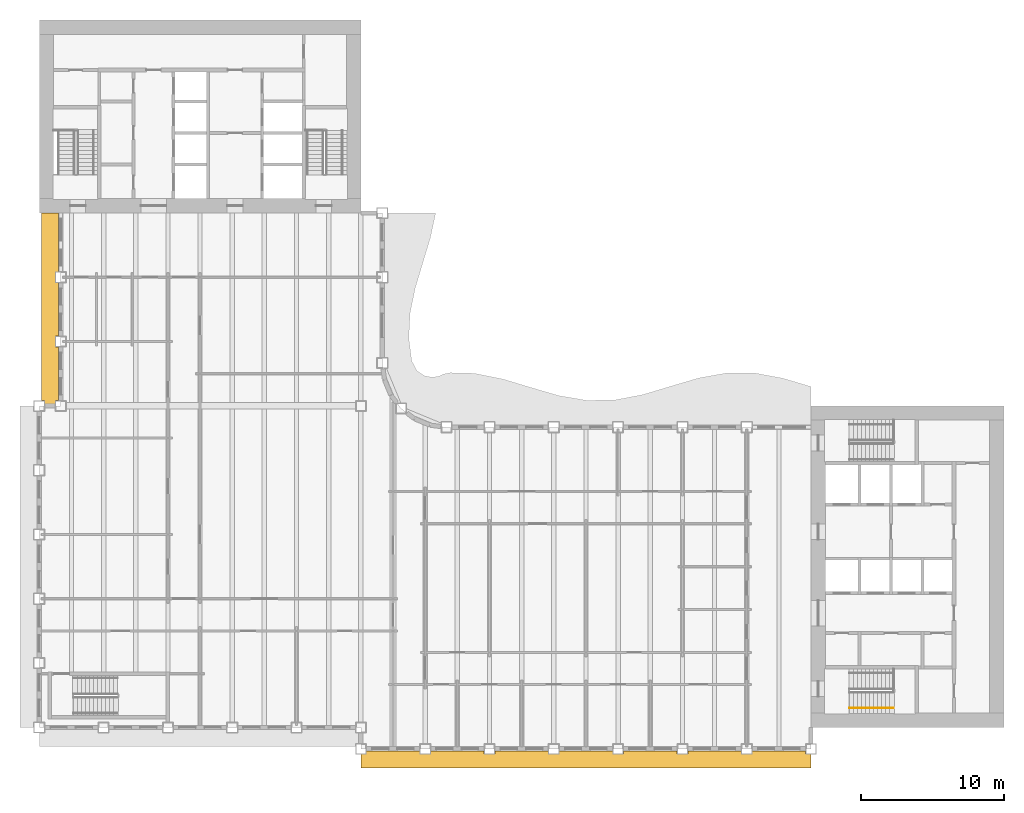
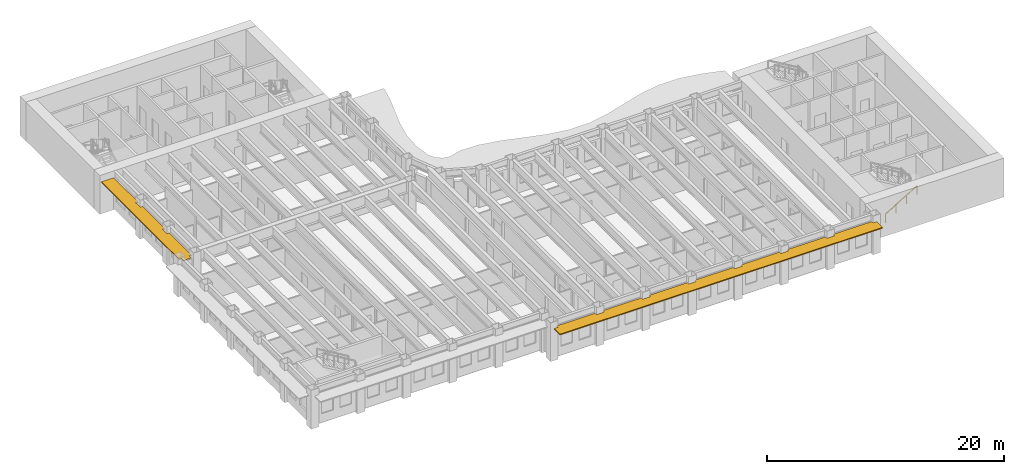
# One storey, part 13 of 17: 2 shading devices, 1 railing.
"""IFC4 building model written with IfcOpenShell, lengths in metres."""

from ifc_helpers import new_model, si_unit, direction, frame, origin, origin_2d, place, context, subcontext, project, spatial, polyline, rectangle, outline, extrude, material, layer, layer_set, type_object, element, save


model = new_model("IFC4")

# Units and contexts
model_context = context("Model", 3, precision=1e-05, world=origin(), true_north=direction((0.0, 1.0)))
body_context = subcontext(model_context, "Body", "Model", "MODEL_VIEW")
ifc_project = project(units=[si_unit("LENGTHUNIT", "METRE"), si_unit("AREAUNIT", "SQUARE_METRE"), si_unit("VOLUMEUNIT", "CUBIC_METRE"), si_unit("PLANEANGLEUNIT", "RADIAN"), si_unit("MASSUNIT", "GRAM", prefix="KILO")], contexts=[model_context])

# Site, building, storey
site_placement = place(None, origin())
site = spatial("IfcSite", under=ifc_project, at=site_placement, CompositionType="ELEMENT")
building_placement = place(site_placement, origin())
building = spatial("IfcBuilding", under=site, at=building_placement, Name="Sennacour Bend Tower", CompositionType="ELEMENT")
storey_placement = place(building_placement, frame((0.0, 0.0, 219.0)))
storey = spatial("IfcBuildingStorey", under=building, at=storey_placement, Name="L50", CompositionType="ELEMENT", Elevation=219.0)

# Railing
ifc_material_1 = material(Name="Stainless steel", Category="steel")
railing_type = type_object("IfcRailingType", Name="RL-HANDRAIL-900", PredefinedType="HANDRAIL", material=ifc_material_1)
railing_placement = place(storey_placement, frame((56.699951171875, 1.35009765625, 0.166748046875)))
element("IfcRailing", 1, at=railing_placement, inside=storey, type_object=railing_type, Name="L50 SA1 stair handrail 1", PredefinedType="HANDRAIL", context=body_context, shape_type="SweptSolid", body=[
    extrude(rectangle(XDim=0.048095703125, YDim=0.048095703125, at=origin_2d()), frame((0.0, 0.0, 0.8759765625), z_axis=(0.859308565015, 0.0, 0.511457515432), x_axis=(0.0, 1.0, 0.0)), (0.0, 0.0, 1.0), 3.58447265625),
    extrude(rectangle(XDim=0.0419921875, YDim=0.0419921875, at=origin_2d()), origin(), (0.0, 0.0, 1.0), 0.851806640625),
    extrude(rectangle(XDim=0.0419921875, YDim=0.0419921875, at=origin_2d()), frame((1.026611328125, 0.0, 0.611083984375)), (0.0, 0.0, 1.0), 0.851806640625),
    extrude(rectangle(XDim=0.0419921875, YDim=0.0419921875, at=origin_2d()), frame((2.053466796875, 0.0, 1.22216796875)), (0.0, 0.0, 1.0), 0.851806640625),
    extrude(rectangle(XDim=0.0419921875, YDim=0.0419921875, at=origin_2d()), frame((3.080078125, 0.0, 1.833251953125)), (0.0, 0.0, 1.0), 0.851806640625),
])

# Shading devices
ifc_material_2 = material(Name="Bronze anodised aluminium", Category="aluminium")
ifc_layer = layer(ifc_material_2, 0.10009765625, Name="Bronze anodised aluminium", Category="aluminium")
ifc_layer_set = layer_set([ifc_layer], Name="Bronze anodised aluminium")
shading_device_type = type_object("IfcShadingDeviceType", Name="SUNSHADE BAND STRAIGHT", PredefinedType="USERDEFINED", material=ifc_layer_set)
shading_device_1_placement = place(storey_placement, frame((0.0, 0.0, 3.056884765625)))
element("IfcShadingDevice", 2, at=shading_device_1_placement, inside=storey, type_object=shading_device_type, Name="Sunshade band L50 A outer face", ObjectType="SUNSHADE", PredefinedType="USERDEFINED", context=body_context, shape_type="SweptSolid", body=[
    extrude(outline(polyline([(26.625, -1.64990234375), (26.625, -1.875), (27.375, -1.875), (27.375, -1.64990234375), (31.125, -1.64990234375), (31.125, -1.875), (31.875, -1.875), (31.875, -1.64990234375), (35.625, -1.64990234375), (35.625, -1.875), (36.375, -1.875), (36.375, -1.64990234375), (40.125, -1.64990234375), (40.125, -1.875), (40.875, -1.875), (40.875, -1.64990234375), (44.625, -1.64990234375), (44.625, -1.875), (45.375, -1.875), (45.375, -1.64990234375), (49.125, -1.64990234375), (49.125, -1.875), (49.875, -1.875), (49.875, -1.64990234375), (53.625, -1.64990234375), (53.625, -1.875), (54.0, -1.875), (54.0, -2.85009765625), (22.5, -2.85009765625), (22.5, -1.875), (22.875, -1.875), (22.875, -1.64990234375), (26.625, -1.64990234375)])), origin(), (0.0, 0.0, 1.0), 0.10009765625),
])
shading_device_2_placement = place(storey_placement, frame((0.0, 0.0, 3.056884765625)))
element("IfcShadingDevice", 3, at=shading_device_2_placement, inside=storey, type_object=shading_device_type, Name="Sunshade band L50 B outer face", ObjectType="SUNSHADE", PredefinedType="USERDEFINED", context=body_context, shape_type="SweptSolid", body=[
    extrude(outline(polyline([(1.35009765625, 31.875), (1.125, 31.875), (1.125, 31.125), (1.35009765625, 31.125), (1.35009765625, 27.375), (1.125, 27.375), (1.125, 26.625), (1.35009765625, 26.625), (1.35009765625, 22.875), (1.125, 22.875), (1.125, 22.5), (0.375, 22.5), (0.375, 22.875), (0.14990234375, 22.875), (0.14990234375, 36.0), (1.35009765625, 36.0), (1.35009765625, 31.875)])), origin(), (0.0, 0.0, 1.0), 0.10009765625),
])

save(model, "model.ifc")
